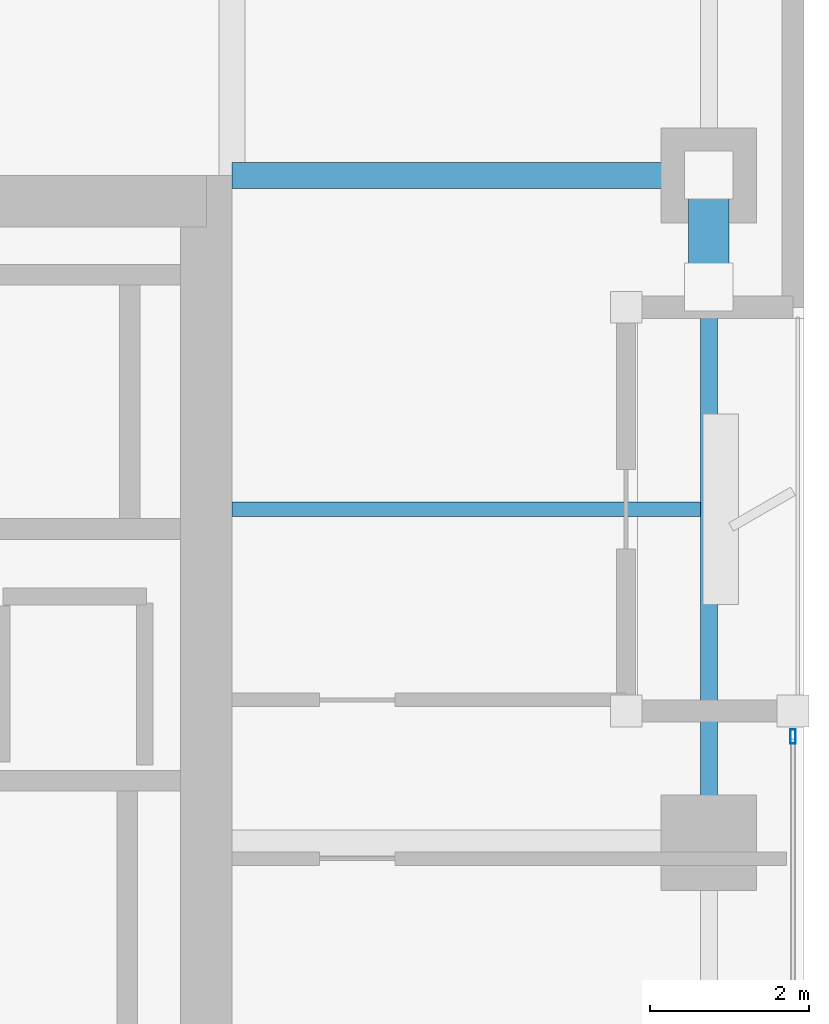
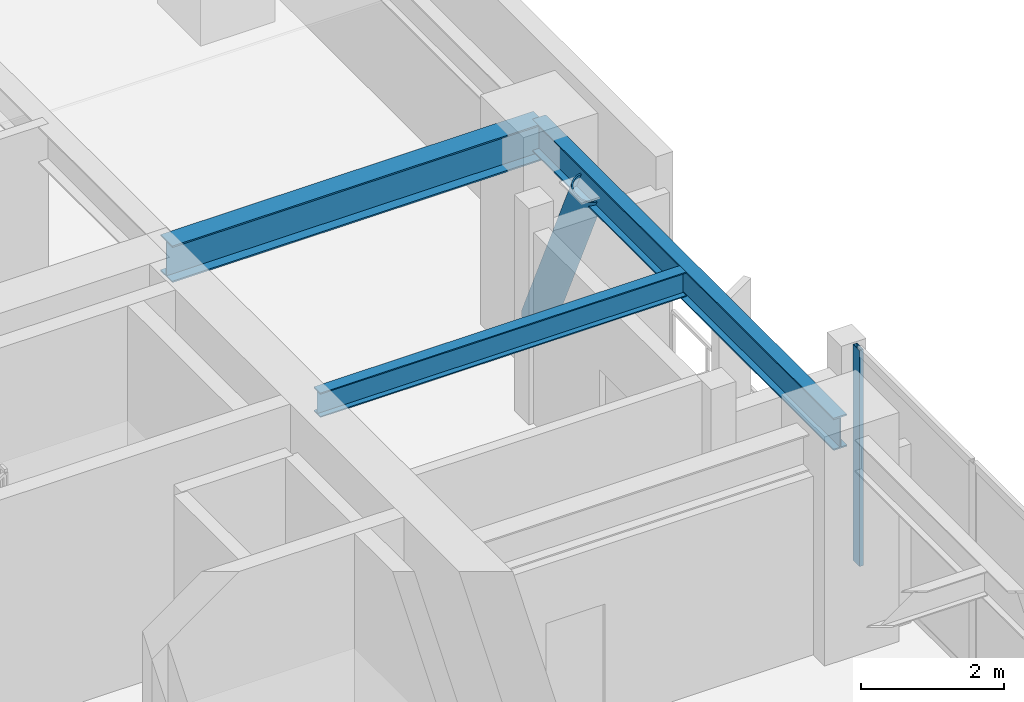
# One storey, part 11 of 30: 3 beams, 2 members, 1 element without a shape of its own.
"""IFC4 building model written with IfcOpenShell, lengths in metres."""

from ifc_helpers import new_model, si_unit, direction, frame, origin, origin_2d, place, context, subcontext, project, spatial, hollow_rectangle, hollow_circle, i_section, extrude, material, layer, layer_set, material_profile, profile_set, type_object, element, aggregate, save


model = new_model("IFC4")

# Units and contexts
model_context = context("Model", 3, precision=1e-05, world=origin(), true_north=direction((0.0, 1.0)))
body_context = subcontext(model_context, "Body", "Model", "MODEL_VIEW")
ifc_project = project(units=[si_unit("LENGTHUNIT", "METRE"), si_unit("AREAUNIT", "SQUARE_METRE"), si_unit("VOLUMEUNIT", "CUBIC_METRE"), si_unit("PLANEANGLEUNIT", "RADIAN"), si_unit("MASSUNIT", "GRAM", prefix="KILO")], contexts=[model_context])

# Site, building, storey
site_placement = place(None, origin())
site = spatial("IfcSite", under=ifc_project, at=site_placement, CompositionType="ELEMENT")
building_placement = place(site_placement, origin())
building = spatial("IfcBuilding", under=site, at=building_placement, Name="Kiyonajd Concourse Tower", CompositionType="ELEMENT")
storey_placement = place(building_placement, frame((0.0, 0.0, 198.0)))
storey = spatial("IfcBuildingStorey", under=building, at=storey_placement, Name="L50", CompositionType="ELEMENT", Elevation=198.0)

# Beams
ifc_material_1 = material(Name="Steel ASTM A992 Grade 50", Category="steel")
ifc_material_profile_1 = material_profile(ifc_material_1, i_section(OverallWidth=0.180908203125, OverallDepth=0.4169921875, WebThickness=0.010986328125, FlangeThickness=0.018310546875, at=origin_2d()), Name="W410X85")
ifc_profile_set_1 = profile_set([ifc_material_profile_1], Name="Steel ASTM A992 Grade 50")
beam_type_1 = type_object("IfcBeamType", Name="BM-JST-410", PredefinedType="JOIST", material=ifc_profile_set_1)
beam_1_placement = place(storey_placement, frame((63.60009765625, 40.199951171875, 3.471435546875), z_axis=(1.0, 0.0, 0.0), x_axis=(0.0, 1.0, 0.0)))
element("IfcBeam", 1, at=beam_1_placement, inside=storey, type_object=beam_type_1, Name="L50 East Secondary Floor Joist", PredefinedType="JOIST", context=body_context, shape_type="SweptSolid", body=[
    extrude(i_section(OverallWidth=0.180908203125, OverallDepth=0.4169921875, WebThickness=0.010986328125, FlangeThickness=0.018310546875, at=origin_2d()), origin(), (0.0, 0.0, 1.0), 5.892822265625),
])
ifc_material_profile_2 = material_profile(ifc_material_1, i_section(OverallWidth=0.214111328125, OverallDepth=0.549072265625, WebThickness=0.0146484375, FlangeThickness=0.023681640625, at=origin_2d()), Name="W530X138")
ifc_profile_set_2 = profile_set([ifc_material_profile_2], Name="Steel ASTM A992 Grade 50")
beam_type_2 = type_object("IfcBeamType", Name="BM-SPAN-530A", PredefinedType="SPANDREL", material=ifc_profile_set_2)
beam_2_placement = place(storey_placement, frame((69.60009765625, 36.0, 3.405517578125), z_axis=(0.0, 1.0, 0.0), x_axis=(-1.0, 0.0, 0.0)))
element("IfcBeam", 2, at=beam_2_placement, inside=storey, type_object=beam_type_2, Name="L50 Perimeter Bundled Tube Spandrel", PredefinedType="SPANDREL", context=body_context, shape_type="SweptSolid", body=[
    extrude(i_section(OverallWidth=0.214111328125, OverallDepth=0.549072265625, WebThickness=0.0146484375, FlangeThickness=0.023681640625, at=origin_2d()), origin(), (0.0, 0.0, 1.0), 8.39990234375),
])
ifc_material_profile_3 = material_profile(ifc_material_1, i_section(OverallWidth=0.326904296875, OverallDepth=0.6220703125, WebThickness=0.015380859375, FlangeThickness=0.0244140625, at=origin_2d()), Name="W610X195")
ifc_profile_set_3 = profile_set([ifc_material_profile_3], Name="Steel ASTM A992 Grade 50")
beam_type_3 = type_object("IfcBeamType", Name="BM-TWR-610A", PredefinedType="BEAM", material=ifc_profile_set_3)
beam_3_placement = place(storey_placement, frame((63.60009765625, 44.39990234375, 3.368896484375), z_axis=(1.0, 0.0, 0.0), x_axis=(0.0, 1.0, 0.0)))
element("IfcBeam", 3, at=beam_3_placement, inside=storey, type_object=beam_type_3, Name="L50 East Lease Girder", PredefinedType="BEAM", context=body_context, shape_type="SweptSolid", body=[
    extrude(i_section(OverallWidth=0.326904296875, OverallDepth=0.6220703125, WebThickness=0.015380859375, FlangeThickness=0.0244140625, at=origin_2d()), origin(), (0.0, 0.0, 1.0), 6.0),
])

# Curtain wall, member
ifc_material_2 = material(Name="Thermally Broken Anodised Aluminium", Category="aluminium")
ifc_layer = layer(ifc_material_2, 0.179931640625)
ifc_layer_set = layer_set([ifc_layer], Name="Thermally Broken Anodised Aluminium")
curtain_wall_type = type_object("IfcCurtainWallType", Name="CW-SYS-03", PredefinedType="NOTDEFINED", material=ifc_layer_set)
curtain_wall_placement = place(storey_placement, origin())
curtain_wall = element("IfcCurtainWall", 4, at=curtain_wall_placement, inside=storey, type_object=curtain_wall_type, Name="L50 Unitised Curtain Wall CW3", PredefinedType="NOTDEFINED")
ifc_material_profile_4 = material_profile(ifc_material_2, hollow_rectangle(XDim=0.06494140625, YDim=0.179931640625, WallThickness=0.00390625, at=origin_2d()), Name="MULL-65x180")
ifc_profile_set_4 = profile_set([ifc_material_profile_4], Name="Thermally Broken Anodised Aluminium")
member_type_1 = type_object("IfcMemberType", Name="MB-CW-MULL1", PredefinedType="MULLION", material=ifc_profile_set_4)
member_1_placement = place(storey_placement, frame((70.659912109375, 37.33740234375, 0.0), z_axis=(0.0, 0.0, 1.0), x_axis=(1.0, 0.0, 0.0)))
member_1 = element("IfcMember", 5, at=member_1_placement, type_object=member_type_1, Name="CW3 mullion 1", PredefinedType="MULLION", context=body_context, shape_type="SweptSolid", body=[
    extrude(hollow_rectangle(XDim=0.06494140625, YDim=0.179931640625, WallThickness=0.00390625, at=origin_2d()), origin(), (0.0, 0.0, 1.0), 3.679931640625),
])
aggregate(curtain_wall, [member_1])

# Member
ifc_material_3 = material(Name="Steel ASTM A500 Grade C", Category="steel")
ifc_material_profile_5 = material_profile(ifc_material_3, hollow_circle(Radius=0.25390625, WallThickness=0.02197265625, at=origin_2d()), Name="CHS-508x22")
ifc_profile_set_5 = profile_set([ifc_material_profile_5], Name="Steel ASTM A500 Grade C")
member_type_2 = type_object("IfcMemberType", Name="MB-PB-MID", PredefinedType="BRACE", material=ifc_profile_set_5)
member_2_placement = place(storey_placement, frame((69.60009765625, 44.39990234375, 0.300048828125), z_axis=(0.0, -0.419410666774, 0.907796614114), x_axis=(1.0, 0.0, 0.0)))
element("IfcMember", 6, at=member_2_placement, inside=storey, type_object=member_type_2, Name="L50 Upper Zone Hollow Tube Brace PBE", PredefinedType="BRACE", context=body_context, shape_type="SweptSolid", body=[
    extrude(hollow_circle(Radius=0.25390625, WallThickness=0.02197265625, at=origin_2d()), origin(), (0.0, 0.0, 1.0), 3.337890625),
])

save(model, "model.ifc")
